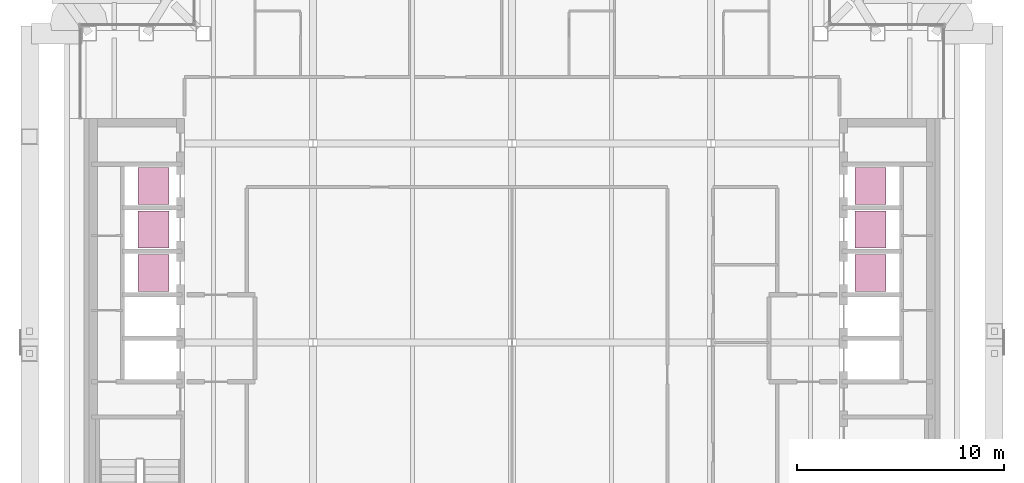
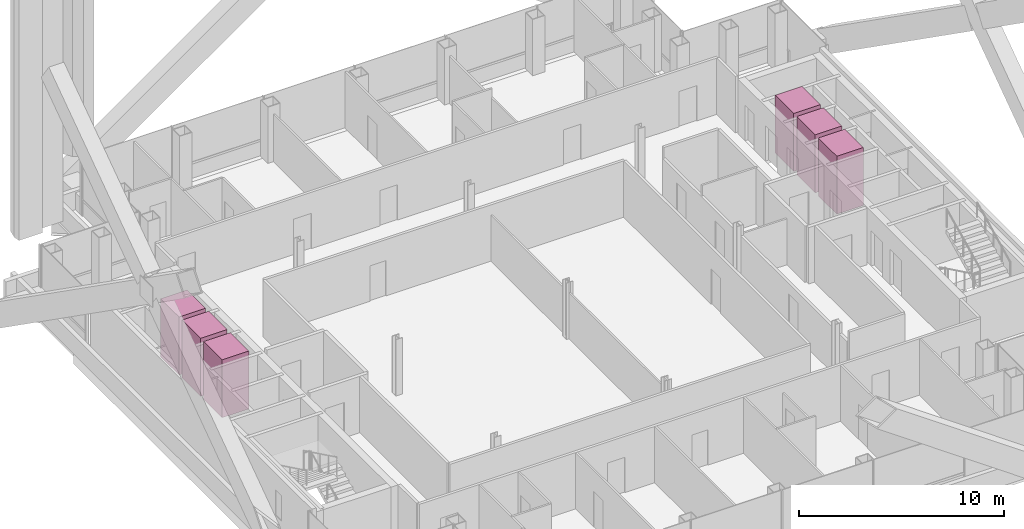
# One storey, part 22 of 22: 6 transport elements.
"""IFC4 building model written with IfcOpenShell, lengths in metres."""

from ifc_helpers import new_model, si_unit, direction, frame, origin, origin_2d, place, context, subcontext, project, spatial, rectangle, extrude, material, type_object, element, save


model = new_model("IFC4")

# Units and contexts
model_context = context("Model", 3, precision=1e-05, world=origin(), true_north=direction((0.0, 1.0)))
body_context = subcontext(model_context, "Body", "Model", "MODEL_VIEW")
ifc_project = project(units=[si_unit("LENGTHUNIT", "METRE"), si_unit("AREAUNIT", "SQUARE_METRE"), si_unit("VOLUMEUNIT", "CUBIC_METRE"), si_unit("PLANEANGLEUNIT", "RADIAN"), si_unit("MASSUNIT", "GRAM", prefix="KILO")], contexts=[model_context])

# Site, building, storey
site_placement = place(None, origin())
site = spatial("IfcSite", under=ifc_project, at=site_placement, CompositionType="ELEMENT")
building_placement = place(site_placement, origin())
building = spatial("IfcBuilding", under=site, at=building_placement, Name="Cobrizo Arcos Hotel Tower", CompositionType="ELEMENT")
storey_placement = place(building_placement, frame((0.0, 0.0, 191.0)))
storey = spatial("IfcBuildingStorey", under=building, at=storey_placement, Name="L49", CompositionType="ELEMENT", Elevation=191.0)

# Transport elements
ifc_material = material(Name="Stainless steel car", Category="steel")
transport_element_type = type_object("IfcTransportElementType", Name="Lift car High 1.8x1.5", PredefinedType="ELEVATOR", material=ifc_material)
for number, where, z_axis, x_axis, name in (
    (1, (-17.300048828125, 3.35009765625, 0.0), (0.0, 0.0, 1.0), (1.0, 0.0, 0.0), "High-rise passenger lift W1"),
    (2, (-17.300048828125, 5.449951171875, 0.0), (0.0, 0.0, 1.0), (1.0, 0.0, 0.0), "High-rise passenger lift W2"),
    (3, (-17.300048828125, 7.550048828125, 0.0), (0.0, 0.0, 1.0), (1.0, 0.0, 0.0), "High-rise passenger lift W3"),
    (4, (17.300048828125, 3.35009765625, 0.0), (0.0, 0.0, 1.0), (1.0, 0.0, 0.0), "High-rise passenger lift E1"),
    (5, (17.300048828125, 5.449951171875, 0.0), (0.0, 0.0, 1.0), (1.0, 0.0, 0.0), "High-rise passenger lift E2"),
    (6, (17.300048828125, 7.550048828125, 0.0), (0.0, 0.0, 1.0), (1.0, 0.0, 0.0), "High-rise passenger lift E3"),
):
    element("IfcTransportElement", number, at=place(storey_placement, frame(where, z_axis=z_axis, x_axis=x_axis)), inside=storey, type_object=transport_element_type, Name=name, PredefinedType="ELEVATOR", context=body_context, shape_type="SweptSolid", body=[
        extrude(rectangle(XDim=1.5, YDim=1.800048828125, at=origin_2d()), origin(), (0.0, 0.0, 1.0), 3.449951171875),
    ])

save(model, "model.ifc")
